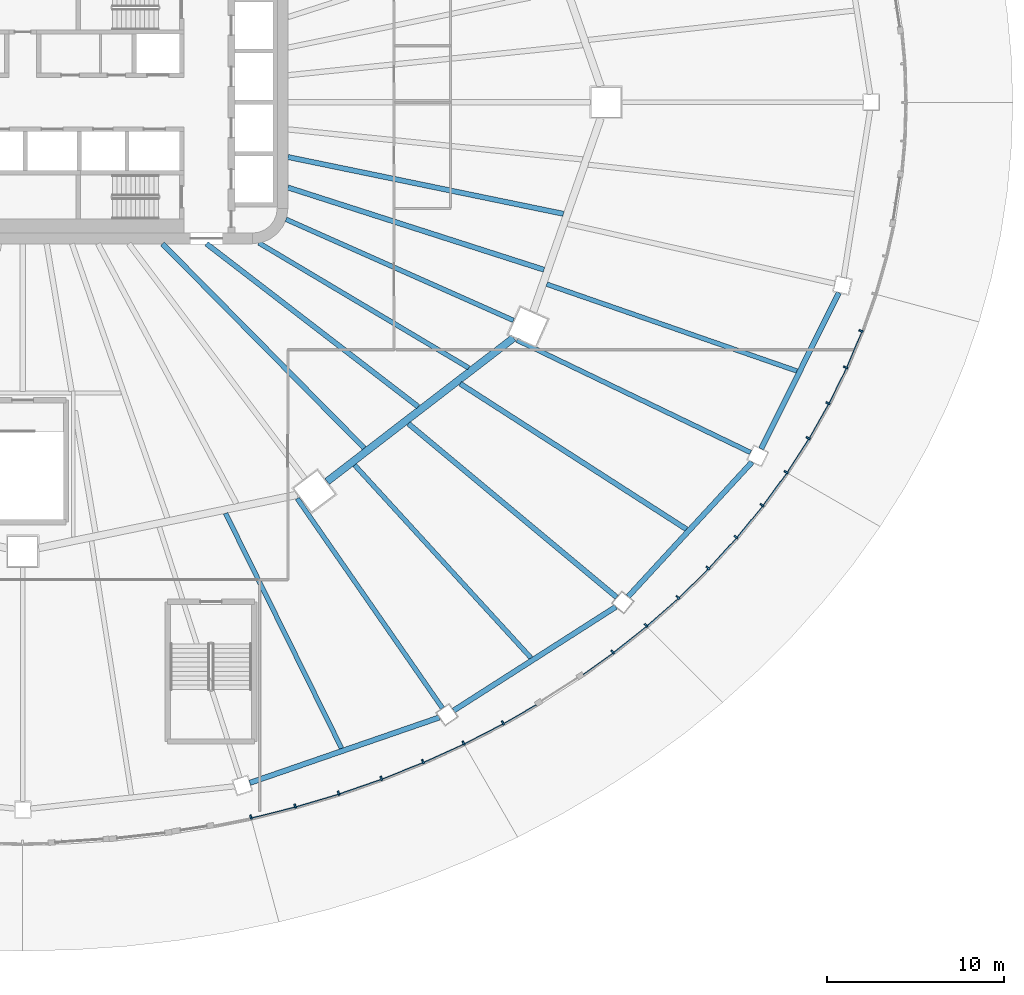
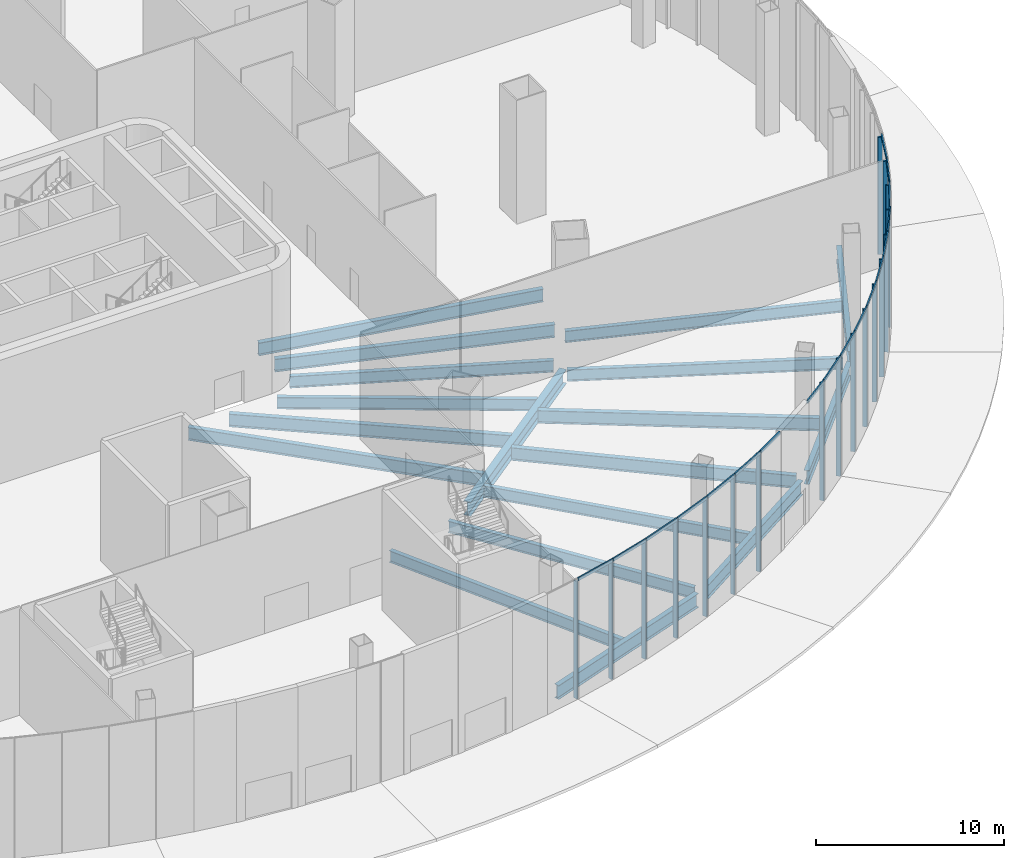
# One storey, part 6 of 36: 36 members, 18 beams, 5 elements without a shape of their own.
"""IFC4 building model written with IfcOpenShell, lengths in metres."""

from ifc_helpers import new_model, si_unit, direction, frame, origin, origin_2d, place, context, subcontext, project, spatial, rectangle, i_section, extrude, material, layer, layer_set, material_profile, profile_set, type_object, element, aggregate, save


model = new_model("IFC4")

# Units and contexts
model_context = context("Model", 3, precision=1e-05, world=origin(), true_north=direction((0.0, 1.0)))
body_context = subcontext(model_context, "Body", "Model", "MODEL_VIEW")
ifc_project = project(units=[si_unit("LENGTHUNIT", "METRE"), si_unit("AREAUNIT", "SQUARE_METRE"), si_unit("VOLUMEUNIT", "CUBIC_METRE"), si_unit("PLANEANGLEUNIT", "RADIAN"), si_unit("MASSUNIT", "GRAM", prefix="KILO")], contexts=[model_context])

# Site, building, storey
site_placement = place(None, origin())
site = spatial("IfcSite", under=ifc_project, at=site_placement, CompositionType="ELEMENT")
building_placement = place(site_placement, origin())
building = spatial("IfcBuilding", under=site, at=building_placement, Name="Sahrelin Media Tower", CompositionType="ELEMENT")
storey_placement = place(building_placement, origin())
storey = spatial("IfcBuildingStorey", under=building, at=storey_placement, Name="L00", CompositionType="ELEMENT", Elevation=0.0)

# Curtain wall, members
ifc_material_1 = material(Name="Champagne anodised aluminium 6063-T6", Category="aluminium")
ifc_layer = layer(ifc_material_1, 0.14990234375)
ifc_layer_set = layer_set([ifc_layer], Name="Concourse curtain wall")
curtain_wall_type = type_object("IfcCurtainWallType", Name="Concourse curtain wall", PredefinedType="NOTDEFINED", material=ifc_layer_set)
curtain_wall_1_placement = place(storey_placement, frame((12.94091796875, -40.56884765625, 0.0), z_axis=(0.0, 0.0, 1.0), x_axis=(1.0, 0.0, 0.0)))
curtain_wall_1 = element("IfcCurtainWall", 1, at=curtain_wall_1_placement, inside=storey, type_object=curtain_wall_type, Name="L00:CW:L00-P19", PredefinedType="NOTDEFINED")
ifc_material_profile_1 = material_profile(ifc_material_1, rectangle(XDim=0.10009765625, YDim=0.25, at=origin_2d()), Name="Mullion 100x250")
ifc_profile_set_1 = profile_set([ifc_material_profile_1], Name="Champagne anodised aluminium 6063-T6")
member_type_1 = type_object("IfcMemberType", Name="Mullion 100x250 CW4", PredefinedType="MULLION", material=ifc_profile_set_1)
member_1_placement = place(storey_placement, frame((12.906005859375, -40.42822265625, 0.0), z_axis=(0.0, 0.0, 1.0), x_axis=(0.970410464409, 0.241461240296, 0.0)))
member_1 = element("IfcMember", 2, at=member_1_placement, type_object=member_type_1, Name="L00:CWM1:L00-P19", PredefinedType="MULLION", context=body_context, shape_type="SweptSolid", body=[
    extrude(rectangle(XDim=0.10009765625, YDim=0.25, at=origin_2d()), origin(), (0.0, 0.0, 1.0), 7.60009765625),
])
member_2_placement = place(storey_placement, frame((15.409423828125, -39.805419921875, 0.0), z_axis=(0.0, 0.0, 1.0), x_axis=(0.958494922328, 0.285109599754, 0.0)))
member_2 = element("IfcMember", 3, at=member_2_placement, type_object=member_type_1, Name="L00:CWM2:L00-P19", PredefinedType="MULLION", context=body_context, shape_type="SweptSolid", body=[
    extrude(rectangle(XDim=0.10009765625, YDim=0.25, at=origin_2d()), origin(), (0.0, 0.0, 1.0), 7.60009765625),
])
member_3_placement = place(storey_placement, frame((17.87060546875, -39.073486328125, 0.0), z_axis=(0.0, 0.0, 1.0), x_axis=(0.944458420046, 0.328630937077, 0.0)))
member_3 = element("IfcMember", 4, at=member_3_placement, type_object=member_type_1, Name="L00:CWM3:L00-P19", PredefinedType="MULLION", context=body_context, shape_type="SweptSolid", body=[
    extrude(rectangle(XDim=0.10009765625, YDim=0.25, at=origin_2d()), origin(), (0.0, 0.0, 1.0), 7.60009765625),
])
member_4_placement = place(storey_placement, frame((20.282958984375, -38.234375, 0.0), z_axis=(0.0, 0.0, 1.0), x_axis=(0.928270482181, 0.371905783648, 0.0)))
member_4 = element("IfcMember", 5, at=member_4_placement, type_object=member_type_1, Name="L00:CWM4:L00-P19", PredefinedType="MULLION", context=body_context, shape_type="SweptSolid", body=[
    extrude(rectangle(XDim=0.10009765625, YDim=0.25, at=origin_2d()), origin(), (0.0, 0.0, 1.0), 7.60009765625),
])
member_5_placement = place(storey_placement, frame((22.639404296875, -37.290283203125, 0.0), z_axis=(0.0, 0.0, 1.0), x_axis=(0.909841810065, 0.414955275491, 0.0)))
member_5 = element("IfcMember", 6, at=member_5_placement, type_object=member_type_1, Name="L00:CWM5:L00-P19", PredefinedType="MULLION", context=body_context, shape_type="SweptSolid", body=[
    extrude(rectangle(XDim=0.10009765625, YDim=0.25, at=origin_2d()), origin(), (0.0, 0.0, 1.0), 7.60009765625),
])

curtain_wall_2_placement = place(storey_placement, frame((25.0, -36.373046875, 0.0), z_axis=(0.0, 0.0, 1.0), x_axis=(1.0, 0.0, 0.0)))
curtain_wall_2 = element("IfcCurtainWall", 7, at=curtain_wall_2_placement, inside=storey, type_object=curtain_wall_type, Name="L00:CW:L00-P20", PredefinedType="NOTDEFINED")
member_6_placement = place(storey_placement, frame((24.93359375, -36.244140625, 0.0), z_axis=(0.0, 0.0, 1.0), x_axis=(0.889123403251, 0.457667536309, 0.0)))
member_6 = element("IfcMember", 8, at=member_6_placement, type_object=member_type_1, Name="L00:CWM1:L00-P20", PredefinedType="MULLION", context=body_context, shape_type="SweptSolid", body=[
    extrude(rectangle(XDim=0.10009765625, YDim=0.25, at=origin_2d()), origin(), (0.0, 0.0, 1.0), 7.60009765625),
])
member_7_placement = place(storey_placement, frame((27.159423828125, -35.0986328125, 0.0), z_axis=(0.0, 0.0, 1.0), x_axis=(0.866028894422, 0.49999395399, 0.0)))
member_7 = element("IfcMember", 9, at=member_7_placement, type_object=member_type_1, Name="L00:CWM2:L00-P20", PredefinedType="MULLION", context=body_context, shape_type="SweptSolid", body=[
    extrude(rectangle(XDim=0.10009765625, YDim=0.25, at=origin_2d()), origin(), (0.0, 0.0, 1.0), 7.60009765625),
])

# Curtain wall, member
curtain_wall_3_placement = place(storey_placement, frame((31.76416015625, -32.426025390625, 0.0), z_axis=(0.0, 0.0, 1.0), x_axis=(1.0, 0.0, 0.0)))
curtain_wall_3 = element("IfcCurtainWall", 10, at=curtain_wall_3_placement, inside=storey, type_object=curtain_wall_type, Name="L00:CW2:L00-P20", PredefinedType="NOTDEFINED")
member_8_placement = place(storey_placement, frame((33.3662109375, -31.0986328125, 0.0), z_axis=(0.0, 0.0, 1.0), x_axis=(0.781960183728, 0.623328381405, 0.0)))
member_8 = element("IfcMember", 11, at=member_8_placement, type_object=member_type_1, Name="L00:CWM5:L00-P20", PredefinedType="MULLION", context=body_context, shape_type="SweptSolid", body=[
    extrude(rectangle(XDim=0.10009765625, YDim=0.25, at=origin_2d()), origin(), (0.0, 0.0, 1.0), 7.60009765625),
])

# Curtain wall, members
curtain_wall_4_placement = place(storey_placement, frame((35.355224609375, -29.698486328125, 0.0), z_axis=(0.0, 0.0, 1.0), x_axis=(1.0, 0.0, 0.0)))
curtain_wall_4 = element("IfcCurtainWall", 12, at=curtain_wall_4_placement, inside=storey, type_object=curtain_wall_type, Name="L00:CW:L00-P21", PredefinedType="NOTDEFINED")
member_9_placement = place(storey_placement, frame((35.25927734375, -29.58984375, 0.0), z_axis=(0.0, 0.0, 1.0), x_axis=(0.748788005735, 0.662809567272, 0.0)))
member_9 = element("IfcMember", 13, at=member_9_placement, type_object=member_type_1, Name="L00:CWM1:L00-P21", PredefinedType="MULLION", context=body_context, shape_type="SweptSolid", body=[
    extrude(rectangle(XDim=0.10009765625, YDim=0.25, at=origin_2d()), origin(), (0.0, 0.0, 1.0), 7.60009765625),
])
member_10_placement = place(storey_placement, frame((37.055419921875, -28.0, 0.0), z_axis=(0.0, 0.0, 1.0), x_axis=(0.712973923933, 0.70119054742, 0.0)))
member_10 = element("IfcMember", 14, at=member_10_placement, type_object=member_type_1, Name="L00:CWM2:L00-P21", PredefinedType="MULLION", context=body_context, shape_type="SweptSolid", body=[
    extrude(rectangle(XDim=0.10009765625, YDim=0.25, at=origin_2d()), origin(), (0.0, 0.0, 1.0), 7.60009765625),
])
member_11_placement = place(storey_placement, frame((38.750244140625, -26.333740234375, 0.0), z_axis=(0.0, 0.0, 1.0), x_axis=(0.67442997344, 0.738338818514, 0.0)))
member_11 = element("IfcMember", 15, at=member_11_placement, type_object=member_type_1, Name="L00:CWM3:L00-P21", PredefinedType="MULLION", context=body_context, shape_type="SweptSolid", body=[
    extrude(rectangle(XDim=0.10009765625, YDim=0.25, at=origin_2d()), origin(), (0.0, 0.0, 1.0), 7.60009765625),
])
member_12_placement = place(storey_placement, frame((40.338623046875, -24.59521484375, 0.0), z_axis=(0.0, 0.0, 1.0), x_axis=(0.633234995933, 0.77395958546, 0.0)))
member_12 = element("IfcMember", 16, at=member_12_placement, type_object=member_type_1, Name="L00:CWM4:L00-P21", PredefinedType="MULLION", context=body_context, shape_type="SweptSolid", body=[
    extrude(rectangle(XDim=0.10009765625, YDim=0.25, at=origin_2d()), origin(), (0.0, 0.0, 1.0), 7.60009765625),
])
member_13_placement = place(storey_placement, frame((41.81640625, -22.789306640625, 0.0), z_axis=(0.0, 0.0, 1.0), x_axis=(0.589385309161, 0.807852064022, 0.0)))
member_13 = element("IfcMember", 17, at=member_13_placement, type_object=member_type_1, Name="L00:CWM5:L00-P21", PredefinedType="MULLION", context=body_context, shape_type="SweptSolid", body=[
    extrude(rectangle(XDim=0.10009765625, YDim=0.25, at=origin_2d()), origin(), (0.0, 0.0, 1.0), 7.60009765625),
])

curtain_wall_5_placement = place(storey_placement, frame((43.30126953125, -21.0, 0.0), z_axis=(0.0, 0.0, 1.0), x_axis=(1.0, 0.0, 0.0)))
curtain_wall_5 = element("IfcCurtainWall", 18, at=curtain_wall_5_placement, inside=storey, type_object=curtain_wall_type, Name="L00:CW:L00-P22", PredefinedType="NOTDEFINED")
member_14_placement = place(storey_placement, frame((43.179443359375, -20.92138671875, 0.0), z_axis=(0.0, 0.0, 1.0), x_axis=(0.542830032192, 0.839842578196, 0.0)))
member_14 = element("IfcMember", 19, at=member_14_placement, type_object=member_type_1, Name="L00:CWM1:L00-P22", PredefinedType="MULLION", context=body_context, shape_type="SweptSolid", body=[
    extrude(rectangle(XDim=0.10009765625, YDim=0.25, at=origin_2d()), origin(), (0.0, 0.0, 1.0), 7.60009765625),
])
member_15_placement = place(storey_placement, frame((44.42431640625, -18.99609375, 0.0), z_axis=(0.0, 0.0, 1.0), x_axis=(0.493787068155, 0.869582849028, 0.0)))
member_15 = element("IfcMember", 20, at=member_15_placement, type_object=member_type_1, Name="L00:CWM2:L00-P22", PredefinedType="MULLION", context=body_context, shape_type="SweptSolid", body=[
    extrude(rectangle(XDim=0.10009765625, YDim=0.25, at=origin_2d()), origin(), (0.0, 0.0, 1.0), 7.60009765625),
])
member_16_placement = place(storey_placement, frame((45.54736328125, -17.018798828125, 0.0), z_axis=(0.0, 0.0, 1.0), x_axis=(0.442262079274, 0.896885864108, 0.0)))
member_16 = element("IfcMember", 21, at=member_16_placement, type_object=member_type_1, Name="L00:CWM3:L00-P22", PredefinedType="MULLION", context=body_context, shape_type="SweptSolid", body=[
    extrude(rectangle(XDim=0.10009765625, YDim=0.25, at=origin_2d()), origin(), (0.0, 0.0, 1.0), 7.60009765625),
])
member_17_placement = place(storey_placement, frame((46.54541015625, -14.9951171875, 0.0), z_axis=(0.0, 0.0, 1.0), x_axis=(0.388450189752, 0.921469722824, 0.0)))
member_17 = element("IfcMember", 22, at=member_17_placement, type_object=member_type_1, Name="L00:CWM4:L00-P22", PredefinedType="MULLION", context=body_context, shape_type="SweptSolid", body=[
    extrude(rectangle(XDim=0.10009765625, YDim=0.25, at=origin_2d()), origin(), (0.0, 0.0, 1.0), 7.60009765625),
])
member_18_placement = place(storey_placement, frame((47.416015625, -12.930419921875, 0.0), z_axis=(0.0, 0.0, 1.0), x_axis=(0.332579242691, 0.943075313711, 0.0)))
member_18 = element("IfcMember", 23, at=member_18_placement, type_object=member_type_1, Name="L00:CWM5:L00-P22", PredefinedType="MULLION", context=body_context, shape_type="SweptSolid", body=[
    extrude(rectangle(XDim=0.10009765625, YDim=0.25, at=origin_2d()), origin(), (0.0, 0.0, 1.0), 7.60009765625),
])

# Beams
ifc_material_2 = material(Name="Steel S355", Category="steel")
ifc_material_profile_2 = material_profile(ifc_material_2, i_section(OverallWidth=0.30322265625, OverallDepth=0.903076171875, WebThickness=0.01513671875, FlangeThickness=0.020263671875, FilletRadius=0.01904296875, at=origin_2d()), Name="UB 914x305x201")
ifc_profile_set_2 = profile_set([ifc_material_profile_2], Name="Steel S355")
beam_type_1 = type_object("IfcBeamType", Name="Podium edge girder PE11", PredefinedType="BEAM", material=ifc_profile_set_2)
beam_1_placement = place(storey_placement, frame((12.848876953125, -38.489990234375, -0.75146484375), z_axis=(0.94527240249, 0.32628221694, 0.0), x_axis=(-0.32628221694, 0.94527240249, 0.0)))
element("IfcBeam", 24, at=beam_1_placement, inside=storey, type_object=beam_type_1, Name="Podium edge girder L00-20", PredefinedType="BEAM", context=body_context, shape_type="SweptSolid", body=[
    extrude(i_section(OverallWidth=0.30322265625, OverallDepth=0.903076171875, WebThickness=0.01513671875, FlangeThickness=0.020263671875, FilletRadius=0.01904296875, at=origin_2d()), origin(), (0.0, 0.0, 1.0), 11.329345703125),
])
beam_2_placement = place(storey_placement, frame((24.37939453125, -34.3984375, -0.75146484375), z_axis=(0.842485743715, 0.538718638657, 0.0), x_axis=(-0.538718638657, 0.842485743715, 0.0)))
element("IfcBeam", 25, at=beam_2_placement, inside=storey, type_object=beam_type_1, Name="Podium edge girder L00-21", PredefinedType="BEAM", context=body_context, shape_type="SweptSolid", body=[
    extrude(i_section(OverallWidth=0.30322265625, OverallDepth=0.903076171875, WebThickness=0.01513671875, FlangeThickness=0.020263671875, FilletRadius=0.01904296875, at=origin_2d()), origin(), (0.0, 0.0, 1.0), 10.87744140625),
])
beam_3_placement = place(storey_placement, frame((34.246337890625, -27.952880859375, -0.75146484375), z_axis=(0.677370529771, 0.735642008995, 0.0), x_axis=(-0.735642008995, 0.677370529771, 0.0)))
element("IfcBeam", 26, at=beam_3_placement, inside=storey, type_object=beam_type_1, Name="Podium edge girder L00-22", PredefinedType="BEAM", context=body_context, shape_type="SweptSolid", body=[
    extrude(i_section(OverallWidth=0.30322265625, OverallDepth=0.903076171875, WebThickness=0.01513671875, FlangeThickness=0.020263671875, FilletRadius=0.01904296875, at=origin_2d()), origin(), (0.0, 0.0, 1.0), 10.340087890625),
])
beam_4_placement = place(storey_placement, frame((41.76953125, -19.596923828125, -0.75146484375), z_axis=(0.445112588569, 0.895474613541, 0.0), x_axis=(-0.895474613541, 0.445112588569, 0.0)))
element("IfcBeam", 27, at=beam_4_placement, inside=storey, type_object=beam_type_1, Name="Podium edge girder L00-23", PredefinedType="BEAM", context=body_context, shape_type="SweptSolid", body=[
    extrude(i_section(OverallWidth=0.30322265625, OverallDepth=0.903076171875, WebThickness=0.01513671875, FlangeThickness=0.020263671875, FilletRadius=0.01904296875, at=origin_2d()), origin(), (0.0, 0.0, 1.0), 9.859619140625),
])
ifc_material_profile_3 = material_profile(ifc_material_2, i_section(OverallWidth=0.41845703125, OverallDepth=0.911865234375, WebThickness=0.019287109375, FlangeThickness=0.031982421875, FilletRadius=0.024169921875, at=origin_2d()), Name="UB 914x419x343")
ifc_profile_set_3 = profile_set([ifc_material_profile_3], Name="Steel S355")
beam_type_2 = type_object("IfcBeamType", Name="Podium ring girder PG12", PredefinedType="BEAM", material=ifc_profile_set_3)
beam_5_placement = place(storey_placement, frame((17.21337890625, -21.447998046875, -0.755859375), z_axis=(0.792445416108, 0.609942835428, 0.0), x_axis=(-0.609942835428, 0.792445416108, 0.0)))
element("IfcBeam", 28, at=beam_5_placement, inside=storey, type_object=beam_type_2, Name="Podium girder L00-11", PredefinedType="BEAM", context=body_context, shape_type="SweptSolid", body=[
    extrude(i_section(OverallWidth=0.41845703125, OverallDepth=0.911865234375, WebThickness=0.019287109375, FlangeThickness=0.031982421875, FilletRadius=0.024169921875, at=origin_2d()), origin(), (0.0, 0.0, 1.0), 13.318603515625),
])
ifc_material_profile_4 = material_profile(ifc_material_2, i_section(OverallWidth=0.291748046875, OverallDepth=0.8349609375, WebThickness=0.013916015625, FlangeThickness=0.018798828125, FilletRadius=0.017822265625, at=origin_2d()), Name="UB 838x292x176")
ifc_profile_set_4 = profile_set([ifc_material_profile_4], Name="Steel S355")
beam_type_3 = type_object("IfcBeamType", Name="Radial primary beam PB10", PredefinedType="BEAM", material=ifc_profile_set_4)
beam_6_placement = place(storey_placement, frame((10.393798828125, -8.0, -0.71728515625), z_axis=(0.79244196099, -0.609947324335, 0.0), x_axis=(0.609947324335, 0.79244196099, 0.0)))
element("IfcBeam", 29, at=beam_6_placement, inside=storey, type_object=beam_type_3, Name="Radial beam L00-22", PredefinedType="BEAM", context=body_context, shape_type="SweptSolid", body=[
    extrude(i_section(OverallWidth=0.291748046875, OverallDepth=0.8349609375, WebThickness=0.013916015625, FlangeThickness=0.018798828125, FilletRadius=0.017822265625, at=origin_2d()), origin(), (0.0, 0.0, 1.0), 15.1103515625),
])
beam_7_placement = place(storey_placement, frame((15.0, -3.093505859375, -0.71728515625), z_axis=(0.979386832716, -0.201993643221, 0.0), x_axis=(0.201993643221, 0.979386832716, 0.0)))
element("IfcBeam", 30, at=beam_7_placement, inside=storey, type_object=beam_type_3, Name="Radial beam L00-24", PredefinedType="BEAM", context=body_context, shape_type="SweptSolid", body=[
    extrude(i_section(OverallWidth=0.291748046875, OverallDepth=0.8349609375, WebThickness=0.013916015625, FlangeThickness=0.018798828125, FilletRadius=0.017822265625, at=origin_2d()), origin(), (0.0, 0.0, 1.0), 15.91064453125),
])
beam_8_placement = place(storey_placement, frame((21.809326171875, -18.174560546875, -0.71728515625), z_axis=(0.768229105739, -0.640175008178, 0.0), x_axis=(0.640175008178, 0.768229105739, 0.0)))
element("IfcBeam", 31, at=beam_8_placement, inside=storey, type_object=beam_type_3, Name="Radial beam L00-22", PredefinedType="BEAM", context=body_context, shape_type="SweptSolid", body=[
    extrude(i_section(OverallWidth=0.291748046875, OverallDepth=0.8349609375, WebThickness=0.013916015625, FlangeThickness=0.018798828125, FilletRadius=0.017822265625, at=origin_2d()), origin(), (0.0, 0.0, 1.0), 15.342041015625),
])
ifc_material_profile_5 = material_profile(ifc_material_2, i_section(OverallWidth=0.26513671875, OverallDepth=0.75390625, WebThickness=0.0126953125, FlangeThickness=0.017578125, FilletRadius=0.0166015625, at=origin_2d()), Name="UB 762x267x147")
ifc_profile_set_5 = profile_set([ifc_material_profile_5], Name="Steel S355")
beam_type_4 = type_object("IfcBeamType", Name="Radial primary beam PB9", PredefinedType="BEAM", material=ifc_profile_set_5)
beam_9_placement = place(storey_placement, frame((14.890625, -6.6171875, -0.677001953125), z_axis=(0.913833000058, -0.406090196883, 0.0), x_axis=(0.406090196883, 0.913833000058, 0.0)))
element("IfcBeam", 32, at=beam_9_placement, inside=storey, type_object=beam_type_4, Name="Radial beam L00-23", PredefinedType="BEAM", context=body_context, shape_type="SweptSolid", body=[
    extrude(i_section(OverallWidth=0.26513671875, OverallDepth=0.75390625, WebThickness=0.0126953125, FlangeThickness=0.017578125, FilletRadius=0.0166015625, at=origin_2d()), origin(), (0.0, 0.0, 1.0), 14.078857421875),
])
beam_10_placement = place(storey_placement, frame((15.527099609375, -22.411376953125, -0.677001953125), z_axis=(0.569493278726, -0.821995988729, 0.0), x_axis=(0.821995988729, 0.569493278726, 0.0)))
element("IfcBeam", 33, at=beam_10_placement, inside=storey, type_object=beam_type_4, Name="Radial beam L00-21", PredefinedType="BEAM", context=body_context, shape_type="SweptSolid", body=[
    extrude(i_section(OverallWidth=0.26513671875, OverallDepth=0.75390625, WebThickness=0.0126953125, FlangeThickness=0.017578125, FilletRadius=0.0166015625, at=origin_2d()), origin(), (0.0, 0.0, 1.0), 14.427734375),
])
beam_11_placement = place(storey_placement, frame((27.950439453125, -13.44775390625, -0.677001953125), z_axis=(0.901130102072, -0.433548773657, 0.0), x_axis=(0.433548773657, 0.901130102072, 0.0)))
element("IfcBeam", 34, at=beam_11_placement, inside=storey, type_object=beam_type_4, Name="Radial beam L00-23", PredefinedType="BEAM", context=body_context, shape_type="SweptSolid", body=[
    extrude(i_section(OverallWidth=0.26513671875, OverallDepth=0.75390625, WebThickness=0.0126953125, FlangeThickness=0.017578125, FilletRadius=0.0166015625, at=origin_2d()), origin(), (0.0, 0.0, 1.0), 14.6630859375),
])
ifc_material_profile_6 = material_profile(ifc_material_2, i_section(OverallWidth=0.291748046875, OverallDepth=0.8349609375, WebThickness=0.013916015625, FlangeThickness=0.018798828125, FilletRadius=0.017822265625, at=origin_2d()), Name="UB 838x292x176")
ifc_profile_set_6 = profile_set([ifc_material_profile_6], Name="Steel S355")
beam_type_5 = type_object("IfcBeamType", Name="Radial secondary beam SB10", PredefinedType="BEAM", material=ifc_profile_set_6)
beam_12_placement = place(storey_placement, frame((7.901123046875, -8.0, -0.71728515625), z_axis=(0.702706329063, -0.711480017355, 0.0), x_axis=(0.711480017355, 0.702706329063, 0.0)))
element("IfcBeam", 35, at=beam_12_placement, inside=storey, type_object=beam_type_5, Name="Secondary beam L00-25", PredefinedType="BEAM", context=body_context, shape_type="SweptSolid", body=[
    extrude(i_section(OverallWidth=0.291748046875, OverallDepth=0.8349609375, WebThickness=0.013916015625, FlangeThickness=0.018798828125, FilletRadius=0.017822265625, at=origin_2d()), origin(), (0.0, 0.0, 1.0), 16.250732421875),
])
beam_13_placement = place(storey_placement, frame((15.0, -4.81787109375, -0.71728515625), z_axis=(0.952096340592, -0.305798231244, 0.0), x_axis=(0.305798231244, 0.952096340592, 0.0)))
element("IfcBeam", 36, at=beam_13_placement, inside=storey, type_object=beam_type_5, Name="Secondary beam L00-27", PredefinedType="BEAM", context=body_context, shape_type="SweptSolid", body=[
    extrude(i_section(OverallWidth=0.291748046875, OverallDepth=0.8349609375, WebThickness=0.013916015625, FlangeThickness=0.018798828125, FilletRadius=0.017822265625, at=origin_2d()), origin(), (0.0, 0.0, 1.0), 15.210693359375),
])
beam_14_placement = place(storey_placement, frame((24.744140625, -15.91552734375, -0.71728515625), z_axis=(0.84104292767, -0.540968385228, 0.0), x_axis=(0.540968385228, 0.84104292767, 0.0)))
element("IfcBeam", 37, at=beam_14_placement, inside=storey, type_object=beam_type_5, Name="Secondary beam L00-22", PredefinedType="BEAM", context=body_context, shape_type="SweptSolid", body=[
    extrude(i_section(OverallWidth=0.291748046875, OverallDepth=0.8349609375, WebThickness=0.013916015625, FlangeThickness=0.018798828125, FilletRadius=0.017822265625, at=origin_2d()), origin(), (0.0, 0.0, 1.0), 15.218505859375),
])
ifc_material_profile_7 = material_profile(ifc_material_2, i_section(OverallWidth=0.26513671875, OverallDepth=0.75390625, WebThickness=0.0126953125, FlangeThickness=0.017578125, FilletRadius=0.0166015625, at=origin_2d()), Name="UB 762x267x147")
ifc_profile_set_7 = profile_set([ifc_material_profile_7], Name="Steel S355")
beam_type_6 = type_object("IfcBeamType", Name="Radial secondary beam SB9", PredefinedType="BEAM", material=ifc_profile_set_7)
beam_15_placement = place(storey_placement, frame((13.356201171875, -7.953125, -0.677001953125), z_axis=(0.859199265621, -0.511641106594, 0.0), x_axis=(0.511641106594, 0.859199265621, 0.0)))
element("IfcBeam", 38, at=beam_15_placement, inside=storey, type_object=beam_type_6, Name="Secondary beam L00-26", PredefinedType="BEAM", context=body_context, shape_type="SweptSolid", body=[
    extrude(i_section(OverallWidth=0.26513671875, OverallDepth=0.75390625, WebThickness=0.0126953125, FlangeThickness=0.017578125, FilletRadius=0.0166015625, at=origin_2d()), origin(), (0.0, 0.0, 1.0), 13.810791015625),
])
beam_16_placement = place(storey_placement, frame((11.47412109375, -23.247314453125, -0.677001953125), z_axis=(0.442602611298, -0.896717864477, 0.0), x_axis=(0.896717864477, 0.442602611298, 0.0)))
element("IfcBeam", 39, at=beam_16_placement, inside=storey, type_object=beam_type_6, Name="Secondary beam L00-20", PredefinedType="BEAM", context=body_context, shape_type="SweptSolid", body=[
    extrude(i_section(OverallWidth=0.26513671875, OverallDepth=0.75390625, WebThickness=0.0126953125, FlangeThickness=0.017578125, FilletRadius=0.0166015625, at=origin_2d()), origin(), (0.0, 0.0, 1.0), 14.8232421875),
])
beam_17_placement = place(storey_placement, frame((18.7685546875, -20.514892578125, -0.677001953125), z_axis=(0.675004282666, -0.737813810106, 0.0), x_axis=(0.737813810106, 0.675004282666, 0.0)))
element("IfcBeam", 40, at=beam_17_placement, inside=storey, type_object=beam_type_6, Name="Secondary beam L00-21", PredefinedType="BEAM", context=body_context, shape_type="SweptSolid", body=[
    extrude(i_section(OverallWidth=0.26513671875, OverallDepth=0.75390625, WebThickness=0.0126953125, FlangeThickness=0.017578125, FilletRadius=0.0166015625, at=origin_2d()), origin(), (0.0, 0.0, 1.0), 14.7861328125),
])
beam_18_placement = place(storey_placement, frame((29.640380859375, -10.287109375, -0.677001953125), z_axis=(0.944713020182, -0.32789832189, 0.0), x_axis=(0.32789832189, 0.944713020182, 0.0)))
element("IfcBeam", 41, at=beam_18_placement, inside=storey, type_object=beam_type_6, Name="Secondary beam L00-23", PredefinedType="BEAM", context=body_context, shape_type="SweptSolid", body=[
    extrude(i_section(OverallWidth=0.26513671875, OverallDepth=0.75390625, WebThickness=0.0126953125, FlangeThickness=0.017578125, FilletRadius=0.0166015625, at=origin_2d()), origin(), (0.0, 0.0, 1.0), 14.974609375),
])

# Member
ifc_material_profile_8 = material_profile(ifc_material_1, rectangle(XDim=0.080078125, YDim=0.199951171875, at=origin_2d()), Name="Transom 80x200")
ifc_profile_set_8 = profile_set([ifc_material_profile_8], Name="Champagne anodised aluminium 6063-T6")
member_type_2 = type_object("IfcMemberType", Name="Transom 80x200 CW4", PredefinedType="USERDEFINED", material=ifc_profile_set_8)
member_19_placement = place(storey_placement, frame((12.984619140625, -40.49609375, 7.699951171875), z_axis=(0.970426059663, 0.24139855577, 0.0), x_axis=(-0.24139855577, 0.970426059663, 0.0)))
member_19 = element("IfcMember", 42, at=member_19_placement, type_object=member_type_2, Name="L00:CWT1a:L00-P19", ObjectType="TRANSOM", PredefinedType="USERDEFINED", context=body_context, shape_type="SweptSolid", body=[
    extrude(rectangle(XDim=0.080078125, YDim=0.199951171875, at=origin_2d()), origin(), (0.0, 0.0, 1.0), 2.5263671875),
])

member_20_placement = place(storey_placement, frame((15.4912109375, -39.869873046875, 7.699951171875), z_axis=(0.958481146373, 0.285155908316, 0.0), x_axis=(-0.285155908316, 0.958481146373, 0.0)))
member_20 = element("IfcMember", 43, at=member_20_placement, type_object=member_type_2, Name="L00:CWT2a:L00-P19", ObjectType="TRANSOM", PredefinedType="USERDEFINED", context=body_context, shape_type="SweptSolid", body=[
    extrude(rectangle(XDim=0.080078125, YDim=0.199951171875, at=origin_2d()), origin(), (0.0, 0.0, 1.0), 2.5146484375),
])

member_21_placement = place(storey_placement, frame((17.955322265625, -39.134033203125, 7.699951171875), z_axis=(0.944462547353, 0.328619075294, 0.0), x_axis=(-0.328619075294, 0.944462547353, 0.0)))
member_21 = element("IfcMember", 44, at=member_21_placement, type_object=member_type_2, Name="L00:CWT3a:L00-P19", ObjectType="TRANSOM", PredefinedType="USERDEFINED", context=body_context, shape_type="SweptSolid", body=[
    extrude(rectangle(XDim=0.080078125, YDim=0.199951171875, at=origin_2d()), origin(), (0.0, 0.0, 1.0), 2.500732421875),
])

member_22_placement = place(storey_placement, frame((20.3701171875, -38.291015625, 7.699951171875), z_axis=(0.928273317424, 0.371898706854, 0.0), x_axis=(-0.371898706854, 0.928273317424, 0.0)))
member_22 = element("IfcMember", 45, at=member_22_placement, type_object=member_type_2, Name="L00:CWT4a:L00-P19", ObjectType="TRANSOM", PredefinedType="USERDEFINED", context=body_context, shape_type="SweptSolid", body=[
    extrude(rectangle(XDim=0.080078125, YDim=0.199951171875, at=origin_2d()), origin(), (0.0, 0.0, 1.0), 2.4853515625),
])

member_23_placement = place(storey_placement, frame((22.729248046875, -37.3427734375, 7.699951171875), z_axis=(0.909857700492, 0.414920431956, 0.0), x_axis=(-0.414920431956, 0.909857700492, 0.0)))
member_23 = element("IfcMember", 46, at=member_23_placement, type_object=member_type_2, Name="L00:CWT5a:L00-P19", ObjectType="TRANSOM", PredefinedType="USERDEFINED", context=body_context, shape_type="SweptSolid", body=[
    extrude(rectangle(XDim=0.080078125, YDim=0.199951171875, at=origin_2d()), origin(), (0.0, 0.0, 1.0), 2.46826171875),
])

aggregate(curtain_wall_1, [member_1, member_19, member_2, member_20, member_3, member_21, member_4, member_22, member_5, member_23])

member_24_placement = place(storey_placement, frame((25.02587890625, -36.292236328125, 7.699951171875), z_axis=(0.889145349563, 0.457624898089, 0.0), x_axis=(-0.457624898089, 0.889145349563, 0.0)))
member_24 = element("IfcMember", 47, at=member_24_placement, type_object=member_type_2, Name="L00:CWT1a:L00-P20", ObjectType="TRANSOM", PredefinedType="USERDEFINED", context=body_context, shape_type="SweptSolid", body=[
    extrude(rectangle(XDim=0.080078125, YDim=0.199951171875, at=origin_2d()), origin(), (0.0, 0.0, 1.0), 2.450439453125),
])

member_25_placement = place(storey_placement, frame((27.25390625, -35.14208984375, 7.699951171875), z_axis=(0.866085370312, 0.49989612054, 0.0), x_axis=(-0.49989612054, 0.866085370312, 0.0)))
member_25 = element("IfcMember", 48, at=member_25_placement, type_object=member_type_2, Name="L00:CWT2a:L00-P20", ObjectType="TRANSOM", PredefinedType="USERDEFINED", context=body_context, shape_type="SweptSolid", body=[
    extrude(rectangle(XDim=0.080078125, YDim=0.199951171875, at=origin_2d()), origin(), (0.0, 0.0, 1.0), 2.06884765625),
])

aggregate(curtain_wall_2, [member_6, member_24, member_7, member_25])

member_26_placement = place(storey_placement, frame((31.729248046875, -32.37744140625, 7.699951171875), z_axis=(0.81249600311, 0.582966761429, 0.0), x_axis=(-0.582966761429, 0.81249600311, 0.0)))
member_26 = element("IfcMember", 49, at=member_26_placement, type_object=member_type_2, Name="L00:CWT4a:L00-P20", ObjectType="TRANSOM", PredefinedType="USERDEFINED", context=body_context, shape_type="SweptSolid", body=[
    extrude(rectangle(XDim=0.080078125, YDim=0.199951171875, at=origin_2d()), origin(), (0.0, 0.0, 1.0), 2.082763671875),
])

member_27_placement = place(storey_placement, frame((33.466064453125, -31.127685546875, 7.699951171875), z_axis=(0.781973967853, 0.623311088944, 0.0), x_axis=(-0.623311088944, 0.781973967853, 0.0)))
member_27 = element("IfcMember", 50, at=member_27_placement, type_object=member_type_2, Name="L00:CWT5a:L00-P20", ObjectType="TRANSOM", PredefinedType="USERDEFINED", context=body_context, shape_type="SweptSolid", body=[
    extrude(rectangle(XDim=0.080078125, YDim=0.199951171875, at=origin_2d()), origin(), (0.0, 0.0, 1.0), 2.3681640625),
])

aggregate(curtain_wall_3, [member_26, member_8, member_27])

member_28_placement = place(storey_placement, frame((35.360595703125, -29.61376953125, 7.699951171875), z_axis=(0.748774077426, 0.662825302002, 0.0), x_axis=(-0.662825302002, 0.748774077426, 0.0)))
member_28 = element("IfcMember", 51, at=member_28_placement, type_object=member_type_2, Name="L00:CWT1a:L00-P21", ObjectType="TRANSOM", PredefinedType="USERDEFINED", context=body_context, shape_type="SweptSolid", body=[
    extrude(rectangle(XDim=0.080078125, YDim=0.199951171875, at=origin_2d()), origin(), (0.0, 0.0, 1.0), 2.34619140625),
])

member_29_placement = place(storey_placement, frame((37.157958984375, -28.018798828125, 7.699951171875), z_axis=(0.712911659558, 0.701253852514, 0.0), x_axis=(-0.701253852514, 0.712911659558, 0.0)))
member_29 = element("IfcMember", 52, at=member_29_placement, type_object=member_type_2, Name="L00:CWT2a:L00-P21", ObjectType="TRANSOM", PredefinedType="USERDEFINED", context=body_context, shape_type="SweptSolid", body=[
    extrude(rectangle(XDim=0.080078125, YDim=0.199951171875, at=origin_2d()), origin(), (0.0, 0.0, 1.0), 2.32470703125),
])

member_30_placement = place(storey_placement, frame((38.853515625, -26.3466796875, 7.699951171875), z_axis=(0.6744176745, 0.738350052699, 0.0), x_axis=(-0.738350052699, 0.6744176745, 0.0)))
member_30 = element("IfcMember", 53, at=member_30_placement, type_object=member_type_2, Name="L00:CWT3a:L00-P21", ObjectType="TRANSOM", PredefinedType="USERDEFINED", context=body_context, shape_type="SweptSolid", body=[
    extrude(rectangle(XDim=0.080078125, YDim=0.199951171875, at=origin_2d()), origin(), (0.0, 0.0, 1.0), 2.302734375),
])

member_31_placement = place(storey_placement, frame((40.4423828125, -24.6025390625, 7.699951171875), z_axis=(0.633296062236, 0.773909618467, 0.0), x_axis=(-0.773909618467, 0.633296062236, 0.0)))
member_31 = element("IfcMember", 54, at=member_31_placement, type_object=member_type_2, Name="L00:CWT4a:L00-P21", ObjectType="TRANSOM", PredefinedType="USERDEFINED", context=body_context, shape_type="SweptSolid", body=[
    extrude(rectangle(XDim=0.080078125, YDim=0.199951171875, at=origin_2d()), origin(), (0.0, 0.0, 1.0), 2.281494140625),
])

member_32_placement = place(storey_placement, frame((41.92041015625, -22.791015625, 7.699951171875), z_axis=(0.589320504692, 0.807899339491, 0.0), x_axis=(-0.807899339491, 0.589320504692, 0.0)))
member_32 = element("IfcMember", 55, at=member_32_placement, type_object=member_type_2, Name="L00:CWT5a:L00-P21", ObjectType="TRANSOM", PredefinedType="USERDEFINED", context=body_context, shape_type="SweptSolid", body=[
    extrude(rectangle(XDim=0.080078125, YDim=0.199951171875, at=origin_2d()), origin(), (0.0, 0.0, 1.0), 2.2607421875),
])

aggregate(curtain_wall_4, [member_9, member_28, member_10, member_29, member_11, member_30, member_12, member_31, member_13, member_32])

member_33_placement = place(storey_placement, frame((43.283447265625, -20.9169921875, 7.699951171875), z_axis=(0.542853714952, 0.839827270433, 0.0), x_axis=(-0.839827270433, 0.542853714952, 0.0)))
member_33 = element("IfcMember", 56, at=member_33_placement, type_object=member_type_2, Name="L00:CWT1a:L00-P22", ObjectType="TRANSOM", PredefinedType="USERDEFINED", context=body_context, shape_type="SweptSolid", body=[
    extrude(rectangle(XDim=0.080078125, YDim=0.199951171875, at=origin_2d()), origin(), (0.0, 0.0, 1.0), 2.240966796875),
])

member_34_placement = place(storey_placement, frame((44.52783203125, -18.98583984375, 7.699951171875), z_axis=(0.493699836243, 0.869632377326, 0.0), x_axis=(-0.869632377326, 0.493699836243, 0.0)))
member_34 = element("IfcMember", 57, at=member_34_placement, type_object=member_type_2, Name="L00:CWT2a:L00-P22", ObjectType="TRANSOM", PredefinedType="USERDEFINED", context=body_context, shape_type="SweptSolid", body=[
    extrude(rectangle(XDim=0.080078125, YDim=0.199951171875, at=origin_2d()), origin(), (0.0, 0.0, 1.0), 2.222412109375),
])

member_35_placement = place(storey_placement, frame((45.64990234375, -17.002685546875, 7.699951171875), z_axis=(0.442291264208, 0.896871472177, 0.0), x_axis=(-0.896871472177, 0.442291264208, 0.0)))
member_35 = element("IfcMember", 58, at=member_35_placement, type_object=member_type_2, Name="L00:CWT3a:L00-P22", ObjectType="TRANSOM", PredefinedType="USERDEFINED", context=body_context, shape_type="SweptSolid", body=[
    extrude(rectangle(XDim=0.080078125, YDim=0.199951171875, at=origin_2d()), origin(), (0.0, 0.0, 1.0), 2.205322265625),
])

member_36_placement = place(storey_placement, frame((46.64697265625, -14.972900390625, 7.699951171875), z_axis=(0.388475685742, 0.921458974446, 0.0), x_axis=(-0.921458974446, 0.388475685742, 0.0)))
member_36 = element("IfcMember", 59, at=member_36_placement, type_object=member_type_2, Name="L00:CWT4a:L00-P22", ObjectType="TRANSOM", PredefinedType="USERDEFINED", context=body_context, shape_type="SweptSolid", body=[
    extrude(rectangle(XDim=0.080078125, YDim=0.199951171875, at=origin_2d()), origin(), (0.0, 0.0, 1.0), 2.189453125),
])

aggregate(curtain_wall_5, [member_14, member_33, member_15, member_34, member_16, member_35, member_17, member_36, member_18])

save(model, "model.ifc")
